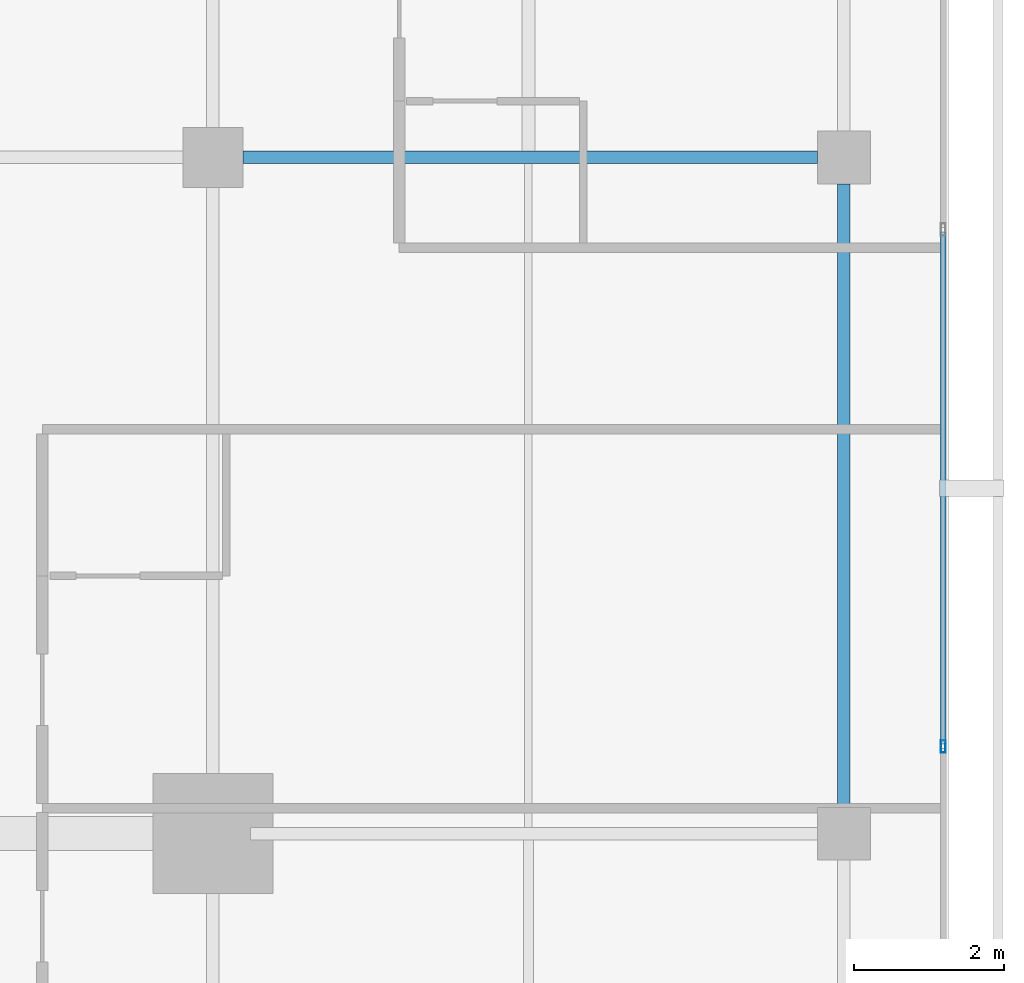
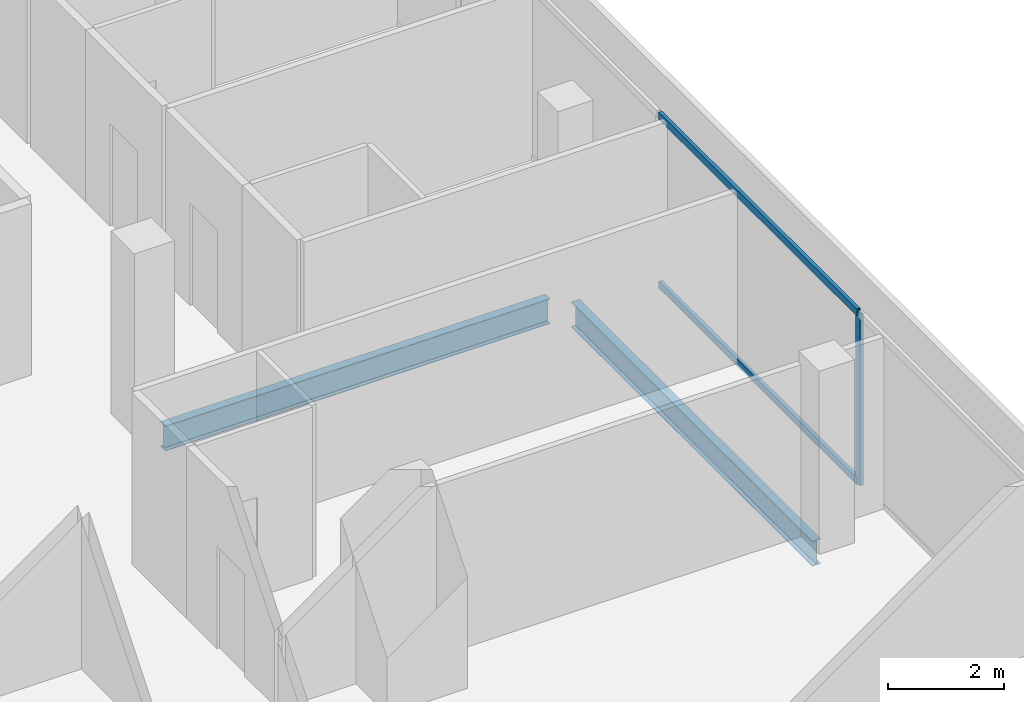
# One storey, part 14 of 26: 3 members, 2 beams, 1 element without a shape of its own.
"""IFC4 building model written with IfcOpenShell, lengths in metres."""

from ifc_helpers import new_model, si_unit, direction, frame, origin, origin_2d, place, context, subcontext, project, spatial, hollow_rectangle, i_section, extrude, material, layer, layer_set, material_profile, profile_set, type_object, element, aggregate, save


model = new_model("IFC4")

# Units and contexts
model_context = context("Model", 3, precision=1e-05, world=origin(), true_north=direction((0.0, 1.0)))
body_context = subcontext(model_context, "Body", "Model", "MODEL_VIEW")
ifc_project = project(units=[si_unit("LENGTHUNIT", "METRE"), si_unit("AREAUNIT", "SQUARE_METRE"), si_unit("VOLUMEUNIT", "CUBIC_METRE"), si_unit("PLANEANGLEUNIT", "RADIAN"), si_unit("MASSUNIT", "GRAM", prefix="KILO")], contexts=[model_context])

# Site, building, storey
site_placement = place(None, origin())
site = spatial("IfcSite", under=ifc_project, at=site_placement, CompositionType="ELEMENT")
building_placement = place(site_placement, origin())
building = spatial("IfcBuilding", under=site, at=building_placement, Name="Maruvema Waterfront Hotel and Observation Tower", CompositionType="ELEMENT")
storey_placement = place(building_placement, frame((0.0, 0.0, 289.449951171875)))
storey = spatial("IfcBuildingStorey", under=building, at=storey_placement, Name="L71", CompositionType="ELEMENT", Elevation=289.449951171875)

# Curtain wall, members
ifc_material_1 = material(Name="Anodised bronze aluminium and solar-control low-E IGU", Category="aluminium")
ifc_layer = layer(ifc_material_1, 0.159912109375, Name="Zone 3 Champagne Inner Thermal Curtain Wall System CW-04")
ifc_layer_set = layer_set([ifc_layer], Name="Anodised bronze aluminium and solar-control low-E IGU")
curtain_wall_type = type_object("IfcCurtainWallType", Name="Zone 3 Champagne Inner Thermal Curtain Wall System CW-04", PredefinedType="USERDEFINED", material=ifc_layer_set)
curtain_wall_placement = place(storey_placement, origin())
curtain_wall = element("IfcCurtainWall", 1, at=curtain_wall_placement, inside=storey, type_object=curtain_wall_type, Name="L71 Curtain Wall CW-L71-E", ObjectType="UNITISED CURTAIN WALL", PredefinedType="USERDEFINED")
ifc_material_2 = material(Name="Anodised architectural bronze aluminium", Category="aluminium")
ifc_material_profile_1 = material_profile(ifc_material_2, hollow_rectangle(XDim=0.070068359375, YDim=0.14990234375, WallThickness=0.00390625, at=origin_2d()), Name="ALU-T70x150")
ifc_profile_set_1 = profile_set([ifc_material_profile_1], Name="Anodised architectural bronze aluminium")
member_type_1 = type_object("IfcMemberType", Name="Curtain Wall Horizontal Transom ALU-T70x150", PredefinedType="USERDEFINED", material=ifc_profile_set_1)
member_1_placement = place(storey_placement, frame((60.1201171875, 28.18994140625, 0.030029296875), z_axis=(0.0, 1.0, 0.0), x_axis=(-1.0, 0.0, 0.0)))
member_1 = element("IfcMember", 2, at=member_1_placement, type_object=member_type_1, Name="CW-04 transom 3.1", ObjectType="TRANSOM", PredefinedType="USERDEFINED", context=body_context, shape_type="SweptSolid", body=[
    extrude(hollow_rectangle(XDim=0.070068359375, YDim=0.14990234375, WallThickness=0.00390625, at=origin_2d()), origin(), (0.0, 0.0, 1.0), 6.820068359375),
])
member_2_placement = place(storey_placement, frame((60.1201171875, 28.18994140625, 3.580078125), z_axis=(0.0, 1.0, 0.0), x_axis=(-1.0, 0.0, 0.0)))
member_2 = element("IfcMember", 3, at=member_2_placement, type_object=member_type_1, Name="CW-04 transom 3.2", ObjectType="TRANSOM", PredefinedType="USERDEFINED", context=body_context, shape_type="SweptSolid", body=[
    extrude(hollow_rectangle(XDim=0.070068359375, YDim=0.14990234375, WallThickness=0.00390625, at=origin_2d()), origin(), (0.0, 0.0, 1.0), 6.820068359375),
])
ifc_material_3 = material(Name="Anodised architectural bronze aluminium", Category="aluminium")
ifc_material_profile_2 = material_profile(ifc_material_3, hollow_rectangle(XDim=0.06494140625, YDim=0.1650390625, WallThickness=0.00390625, at=origin_2d()), Name="ALU-M65x165")
ifc_profile_set_2 = profile_set([ifc_material_profile_2], Name="Anodised architectural bronze aluminium")
member_type_2 = type_object("IfcMemberType", Name="Curtain Wall Primary Mullion ALU-M65x165", PredefinedType="MULLION", material=ifc_profile_set_2)
member_3_placement = place(storey_placement, frame((60.1201171875, 28.159912109375, 0.0), z_axis=(0.0, 0.0, 1.0), x_axis=(-1.0, 0.0, 0.0)))
member_3 = element("IfcMember", 4, at=member_3_placement, type_object=member_type_2, Name="CW-04 mullion 3", PredefinedType="MULLION", context=body_context, shape_type="SweptSolid", body=[
    extrude(hollow_rectangle(XDim=0.06494140625, YDim=0.1650390625, WallThickness=0.00390625, at=origin_2d()), origin(), (0.0, 0.0, 1.0), 3.610107421875),
])
aggregate(curtain_wall, [member_3, member_1, member_2])

# Beams
ifc_material_4 = material(Name="Steel ASTM A572 Grade 50", Category="steel")
ifc_material_profile_3 = material_profile(ifc_material_4, i_section(OverallWidth=0.166015625, OverallDepth=0.529052734375, WebThickness=0.009765625, FlangeThickness=0.013671875, FilletRadius=0.014892578125, at=origin_2d()), Name="W530x74.0")
ifc_profile_set_3 = profile_set([ifc_material_profile_3], Name="Steel ASTM A572 Grade 50")
beam_type = type_object("IfcBeamType", Name="Primary Floor Girder W530x74.0", PredefinedType="BEAM", material=ifc_profile_set_3)
beam_1_placement = place(storey_placement, frame((50.800048828125, 36.0, -0.50439453125), z_axis=(1.0, 0.0, 0.0), x_axis=(0.0, 1.0, 0.0)))
element("IfcBeam", 5, at=beam_1_placement, inside=storey, type_object=beam_type, Name="L71 Floor Girder EW-16", PredefinedType="BEAM", context=body_context, shape_type="SweptSolid", body=[
    extrude(i_section(OverallWidth=0.166015625, OverallDepth=0.529052734375, WebThickness=0.009765625, FlangeThickness=0.013671875, FilletRadius=0.014892578125, at=origin_2d()), origin(), (0.0, 0.0, 1.0), 7.64990234375),
])
beam_2_placement = place(storey_placement, frame((58.800048828125, 27.35009765625, -0.50439453125), z_axis=(0.0, 1.0, 0.0), x_axis=(-1.0, 0.0, 0.0)))
element("IfcBeam", 6, at=beam_2_placement, inside=storey, type_object=beam_type, Name="L71 Floor Girder NS-17", PredefinedType="BEAM", context=body_context, shape_type="SweptSolid", body=[
    extrude(i_section(OverallWidth=0.166015625, OverallDepth=0.529052734375, WebThickness=0.009765625, FlangeThickness=0.013671875, FilletRadius=0.014892578125, at=origin_2d()), origin(), (0.0, 0.0, 1.0), 8.2998046875),
])

save(model, "model.ifc")
